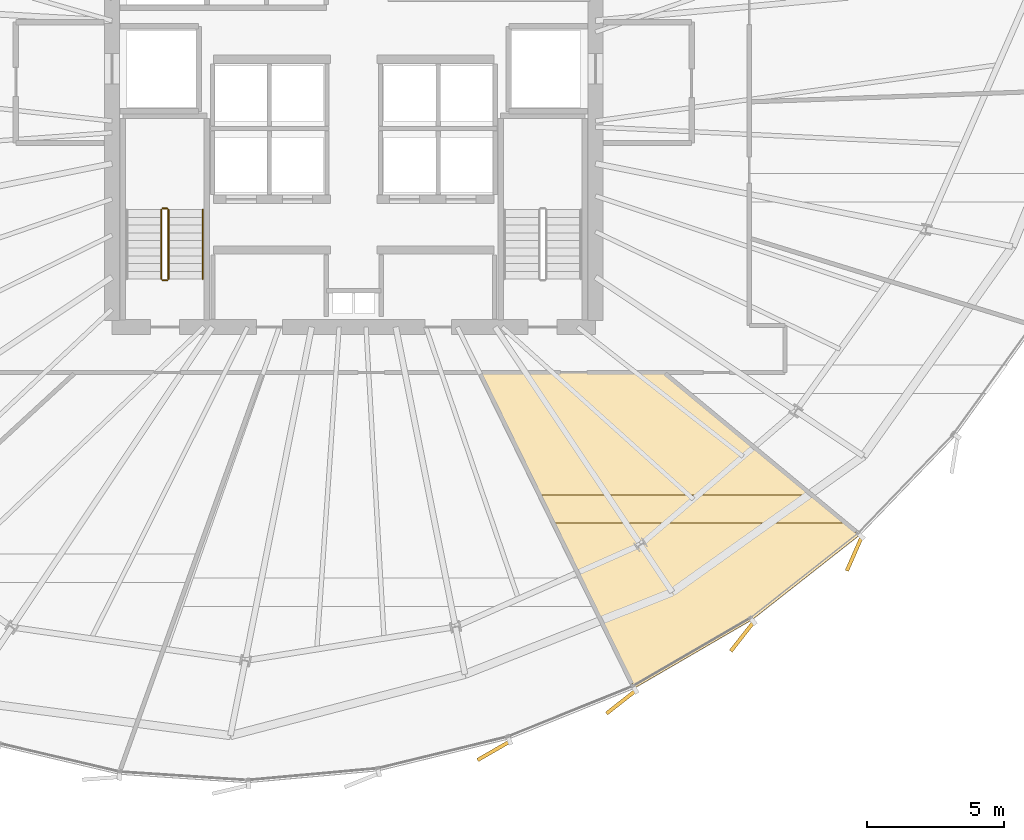
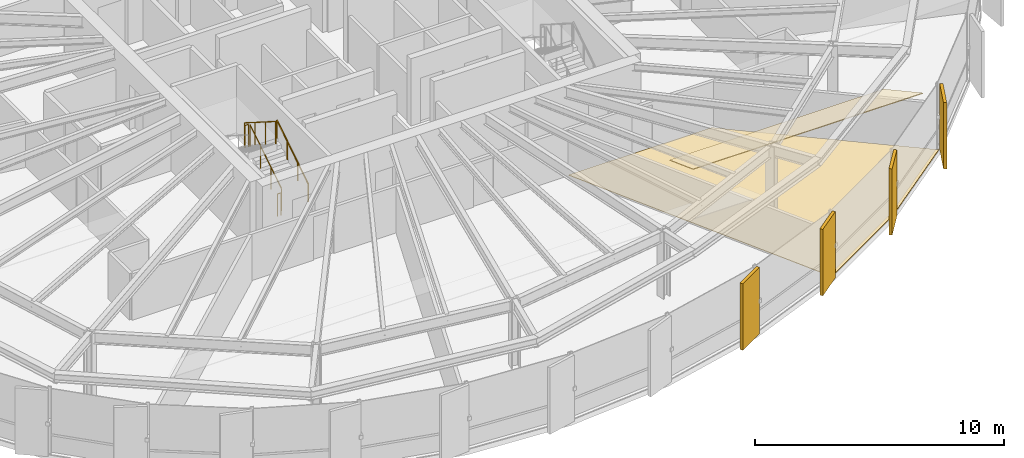
# One storey, part 33 of 35: 6 coverings, 5 railings.
"""IFC4 building model written with IfcOpenShell, lengths in metres."""

from ifc_helpers import new_model, si_unit, direction, frame, origin, origin_2d, place, context, subcontext, project, spatial, polyline, rectangle, circle, outline, extrude, source, transform, mapped, material, layer, layer_set, type_object, element, save


model = new_model("IFC4")

# Units and contexts
model_context = context("Model", 3, precision=1e-05, world=origin(), true_north=direction((0.0, 1.0)))
body_context = subcontext(model_context, "Body", "Model", "MODEL_VIEW")
ifc_project = project(units=[si_unit("LENGTHUNIT", "METRE"), si_unit("AREAUNIT", "SQUARE_METRE"), si_unit("VOLUMEUNIT", "CUBIC_METRE"), si_unit("PLANEANGLEUNIT", "RADIAN"), si_unit("MASSUNIT", "GRAM", prefix="KILO"), si_unit("THERMODYNAMICTEMPERATUREUNIT", "KELVIN")], contexts=[model_context])

# Site, building, storey
site_placement = place(None, origin())
site = spatial("IfcSite", under=ifc_project, at=site_placement, CompositionType="ELEMENT")
building_placement = place(site_placement, origin())
building = spatial("IfcBuilding", under=site, at=building_placement, Name="Kethvar Cultural Tower", CompositionType="ELEMENT")
storey_placement = place(building_placement, frame((0.0, 0.0, 139.449951171875)))
storey = spatial("IfcBuildingStorey", under=building, at=storey_placement, Name="L35", CompositionType="ELEMENT", Elevation=139.449951171875)

# Coverings
ifc_material_1 = material(Name="Acoustic Mineral Fibre Ceiling")
ifc_layer_1 = layer(ifc_material_1, 0.0400390625, Name="Acoustic Mineral Fibre Ceiling")
ifc_layer_set_1 = layer_set([ifc_layer_1], Name="Acoustic Mineral Fibre Ceiling (40 mm)")
covering_type_1 = type_object("IfcCoveringType", Name="CV-ACOUSTIC-CEIL", PredefinedType="CEILING", material=ifc_layer_set_1)
covering_1_placement = place(storey_placement, frame((0.0, 0.0, 2.670166015625)))
element("IfcCovering", 1, at=covering_1_placement, inside=storey, type_object=covering_type_1, Name="L35 Room 03 Acoustic Ceiling Panel", PredefinedType="CEILING", context=body_context, shape_type="SweptSolid", body=[
    extrude(outline(polyline([(53.544189453125, 13.98779296875), (63.49169921875, 13.98779296875), (64.73388671875, 12.9580078125), (54.048828125, 12.9580078125), (53.544189453125, 13.98779296875)])), origin(), (0.0, 0.0, 1.0), 0.039794921875),
])
ifc_material_2 = material(Name="Architectural Oak Timber", Category="wood")
ifc_layer_2 = layer(ifc_material_2, 0.02490234375, Name="Architectural Oak Timber", Category="wood")
ifc_layer_set_2 = layer_set([ifc_layer_2], Name="Architectural Oak Timber (25 mm)")
covering_type_2 = type_object("IfcCoveringType", Name="CV-OAK-FLOOR", PredefinedType="FLOORING", material=ifc_layer_set_2)
covering_2_placement = place(storey_placement, origin())
element("IfcCovering", 2, at=covering_2_placement, inside=storey, type_object=covering_type_2, Name="L35 Room 03 Floor Finish", PredefinedType="FLOORING", context=body_context, shape_type="SweptSolid", body=[
    extrude(outline(polyline([(61.2998046875, 9.44189453125), (57.03173828125, 6.959716796875), (51.41259765625, 18.429931640625), (58.07080078125, 18.429931640625), (65.204345703125, 12.51611328125), (61.2998046875, 9.44189453125)])), origin(), (0.0, 0.0, 1.0), 0.025146484375),
])

# Railings
ifc_material_3 = material(Name="Steel S355J2", Category="steel")
railing_type_1 = type_object("IfcRailingType", Name="RL-STAIR-GUARD", PredefinedType="BALUSTRADE", material=ifc_material_3)
railing_1_placement = place(storey_placement, frame((40.050048828125, 21.85009765625, 0.177490234375)))
element("IfcRailing", 3, at=railing_1_placement, inside=storey, type_object=railing_type_1, Name="L35 ST-01 stair guard 1", PredefinedType="BALUSTRADE", context=body_context, shape_type="SweptSolid", body=[
    extrude(circle(Radius=0.02392578125, at=origin_2d()), frame((0.0, 0.0, 1.09619140625), z_axis=(0.0, 0.84456994832, 0.535445237532), x_axis=(-1.0, 0.0, 0.0)), (0.0, 0.0, 1.0), 2.98388671875),
    extrude(circle(Radius=0.02099609375, at=origin_2d()), origin(), (0.0, 0.0, 1.0), 1.072021484375),
    extrude(circle(Radius=0.02099609375, at=origin_2d()), frame((0.0, 0.840087890625, 0.532470703125)), (0.0, 0.0, 1.0), 1.072021484375),
    extrude(circle(Radius=0.02099609375, at=origin_2d()), frame((0.0, 1.679931640625, 1.065185546875)), (0.0, 0.0, 1.0), 1.072021484375),
    extrude(circle(Radius=0.02099609375, at=origin_2d()), frame((0.0, 2.52001953125, 1.59765625)), (0.0, 0.0, 1.0), 1.072021484375),
])
railing_2_placement = place(storey_placement, frame((40.0, 24.419921875, 1.775146484375)))
element("IfcRailing", 4, at=railing_2_placement, inside=storey, type_object=railing_type_1, Name="L35 ST-01 stair guard 2", PredefinedType="BALUSTRADE", context=body_context, shape_type="SweptSolid", body=[
    extrude(circle(Radius=0.02392578125, at=origin_2d()), frame((0.0, 0.0, 1.09619140625), z_axis=(-1.0, 0.0, 0.0), x_axis=(0.0, -1.0, 0.0)), (0.0, 0.0, 1.0), 0.159912109375),
    extrude(circle(Radius=0.02099609375, at=origin_2d()), origin(), (0.0, 0.0, 1.0), 1.072021484375),
    extrude(circle(Radius=0.02099609375, at=origin_2d()), frame((-0.159912109375, 0.0, 0.0)), (0.0, 0.0, 1.0), 1.072021484375),
])
railing_3_placement = place(storey_placement, frame((39.7900390625, 24.3701171875, 1.95263671875)))
element("IfcRailing", 5, at=railing_3_placement, inside=storey, type_object=railing_type_1, Name="L35 ST-01 stair guard 3", PredefinedType="BALUSTRADE", context=body_context, shape_type="SweptSolid", body=[
    extrude(circle(Radius=0.02392578125, at=origin_2d()), frame((0.0, 0.0, 1.09619140625), z_axis=(0.0, -0.84460694969, 0.535386869969), x_axis=(1.0, 0.0, 0.0)), (0.0, 0.0, 1.0), 2.983642578125),
    extrude(circle(Radius=0.02099609375, at=origin_2d()), origin(), (0.0, 0.0, 1.0), 1.072021484375),
    extrude(circle(Radius=0.02099609375, at=origin_2d()), frame((0.0, -0.840087890625, 0.532470703125)), (0.0, 0.0, 1.0), 1.072021484375),
    extrude(circle(Radius=0.02099609375, at=origin_2d()), frame((0.0, -1.679931640625, 1.06494140625)), (0.0, 0.0, 1.0), 1.072021484375),
    extrude(circle(Radius=0.02099609375, at=origin_2d()), frame((0.0, -2.52001953125, 1.597412109375)), (0.0, 0.0, 1.0), 1.072021484375),
])
railing_4_placement = place(storey_placement, frame((40.0, 21.800048828125, 0.0)))
element("IfcRailing", 6, at=railing_4_placement, inside=storey, type_object=railing_type_1, Name="L35 ST-01 stair guard 4", PredefinedType="BALUSTRADE", context=body_context, shape_type="SweptSolid", body=[
    extrude(circle(Radius=0.02392578125, at=origin_2d()), frame((0.0, 0.0, 1.09619140625), z_axis=(-1.0, 0.0, 0.0), x_axis=(0.0, -1.0, 0.0)), (0.0, 0.0, 1.0), 0.159912109375),
    extrude(circle(Radius=0.02099609375, at=origin_2d()), origin(), (0.0, 0.0, 1.0), 1.072021484375),
    extrude(circle(Radius=0.02099609375, at=origin_2d()), frame((-0.159912109375, 0.0, 0.0)), (0.0, 0.0, 1.0), 1.072021484375),
])
railing_type_2 = type_object("IfcRailingType", Name="RL-STAIR-HANDRAIL", PredefinedType="HANDRAIL", material=ifc_material_3)
railing_5_placement = place(storey_placement, frame((41.300048828125, 21.85009765625, 0.177490234375)))
element("IfcRailing", 7, at=railing_5_placement, inside=storey, type_object=railing_type_2, Name="L35 ST-01 stair handrail 1", PredefinedType="HANDRAIL", context=body_context, shape_type="SweptSolid", body=[
    extrude(circle(Radius=0.02392578125, at=origin_2d()), frame((0.0, 0.0, 0.8759765625), z_axis=(0.0, 0.84456994832, 0.535445237532), x_axis=(-1.0, 0.0, 0.0)), (0.0, 0.0, 1.0), 2.98388671875),
    extrude(circle(Radius=0.02099609375, at=origin_2d()), origin(), (0.0, 0.0, 1.0), 0.851806640625),
    extrude(circle(Radius=0.02099609375, at=origin_2d()), frame((0.0, 0.840087890625, 0.532470703125)), (0.0, 0.0, 1.0), 0.851806640625),
    extrude(circle(Radius=0.02099609375, at=origin_2d()), frame((0.0, 1.679931640625, 1.065185546875)), (0.0, 0.0, 1.0), 0.851806640625),
    extrude(circle(Radius=0.02099609375, at=origin_2d()), frame((0.0, 2.52001953125, 1.59765625)), (0.0, 0.0, 1.0), 0.851806640625),
])

# Coverings
ifc_material_4 = material(Name="Extruded Architectural Terracotta", Category="masonry")
ifc_layer_3 = layer(ifc_material_4, 0.135009765625, Name="Extruded Architectural Terracotta", Category="masonry")
ifc_layer_set_3 = layer_set([ifc_layer_3], Name="Extruded Architectural Terracotta (135 mm)")
covering_type_3 = type_object("IfcCoveringType", Name="Terracotta Facade Fin FIN-02", PredefinedType="CLADDING", material=ifc_layer_set_3)
shared_shape = source(origin(), body_context, "Body", "SweptSolid", [
    extrude(rectangle(XDim=1.35009765625, YDim=0.135009765625, at=origin_2d()), origin(), (0.0, 0.0, 1.0), 3.260009765625),
])
for number, where, z_axis, x_axis, name in (
    (8, (51.89306640625, 4.67138671875, 0.02001953125), (0.0, 0.0, 1.0), (-0.866025403784, -0.5, 0.0), "L35 Vertical Terracotta Fin 5.3"),
    (9, (56.532958984375, 6.4453125, 0.02001953125), (0.0, 0.0, 1.0), (-0.786072710546, -0.618134041883, 0.0), "L35 Vertical Terracotta Fin 5.4"),
    (10, (60.944091796875, 8.831298828125, 0.02001953125), (0.0, 0.0, 1.0), (-0.617035875141, -0.786935021961, 0.0), "L35 Vertical Terracotta Fin 5.5"),
    (11, (65.02294921875, 11.841796875, 0.02001953125), (0.0, 0.0, 1.0), (-0.401308425672, -0.91594298266, 0.0), "L35 Vertical Terracotta Fin 5.6"),
):
    element("IfcCovering", number, at=place(storey_placement, frame(where, z_axis=z_axis, x_axis=x_axis)), inside=storey, type_object=covering_type_3, Name=name, PredefinedType="CLADDING", context=body_context, shape_type="MappedRepresentation", body=[
        mapped(shared_shape, transform((0.0, 0.0, 0.0), scale=1.0)),
    ])

save(model, "model.ifc")
